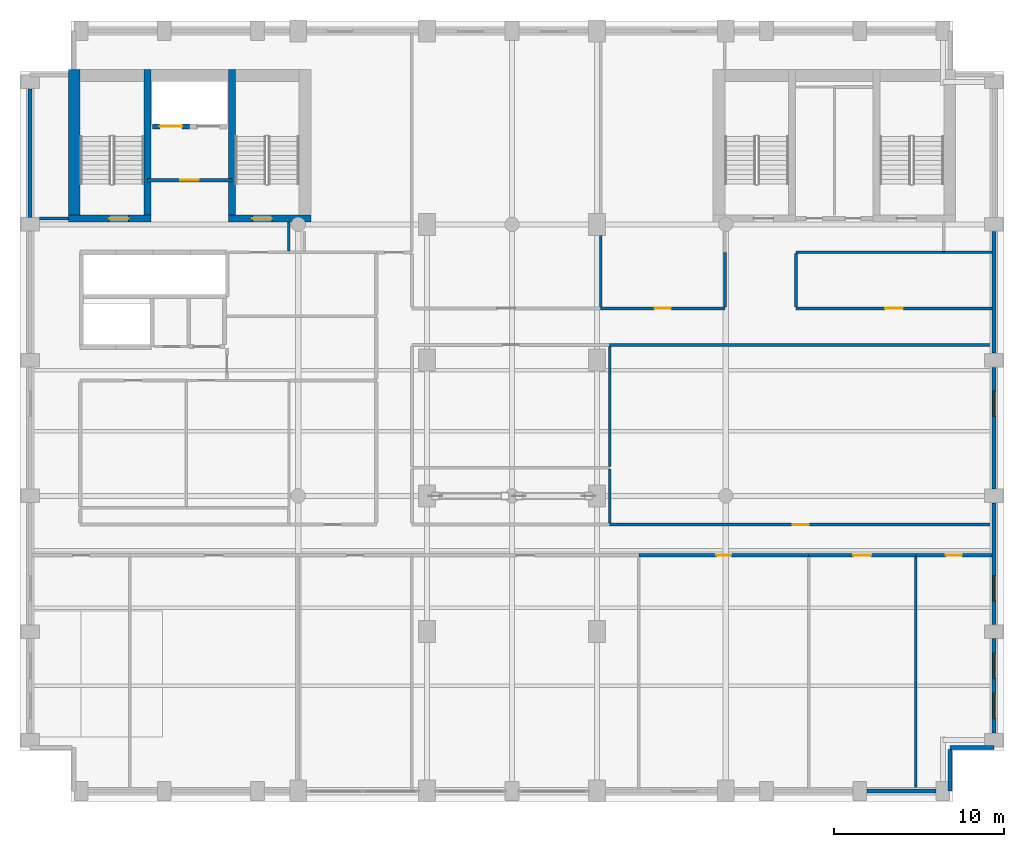
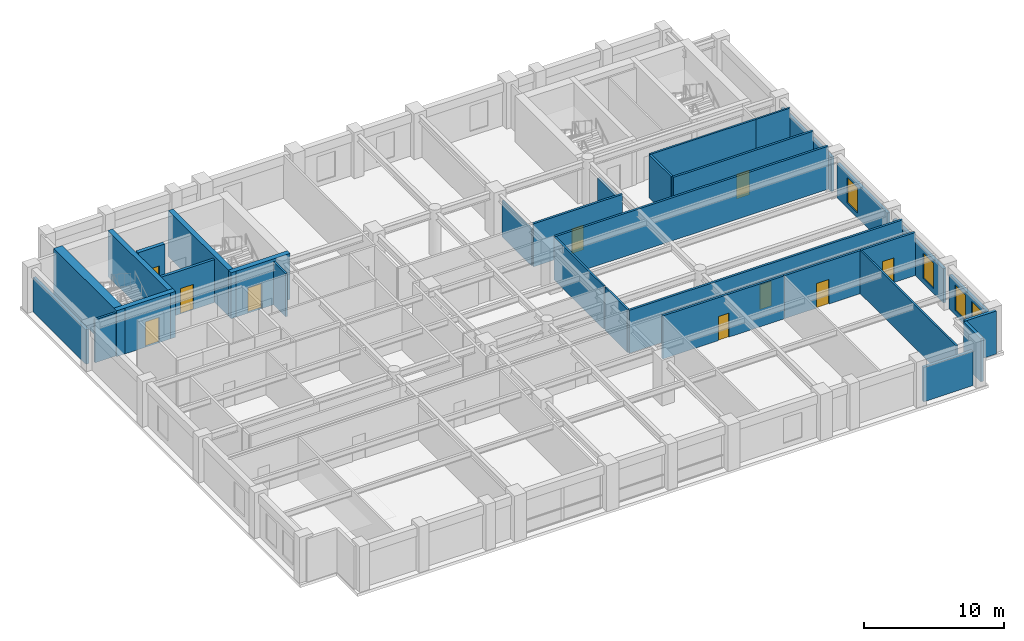
# One storey, part 8 of 13: 32 walls, 10 doors, 4 windows, 14 openings.
"""IFC4 building model written with IfcOpenShell, lengths in metres."""

from ifc_helpers import new_model, si_unit, direction, frame, frame_2d, origin, place, context, subcontext, project, spatial, rectangle, extrude, material, layer, layer_set, type_object, element, fill, save


model = new_model("IFC4")

# Units and contexts
model_context = context("Model", 3, precision=1e-05, world=origin(), true_north=direction((0.0, 1.0)))
body_context = subcontext(model_context, "Body", "Model", "MODEL_VIEW")
ifc_project = project(units=[si_unit("LENGTHUNIT", "METRE"), si_unit("AREAUNIT", "SQUARE_METRE"), si_unit("VOLUMEUNIT", "CUBIC_METRE"), si_unit("PLANEANGLEUNIT", "RADIAN"), si_unit("MASSUNIT", "GRAM", prefix="KILO")], contexts=[model_context])

# Site, building, storey
site_placement = place(None, origin())
site = spatial("IfcSite", under=ifc_project, at=site_placement, CompositionType="ELEMENT")
building_placement = place(site_placement, origin())
building = spatial("IfcBuilding", under=site, at=building_placement, Name="Sulina Concourse Tower", CompositionType="ELEMENT")
storey_placement = place(building_placement, frame((0.0, 0.0, 202.60009765625)))
storey = spatial("IfcBuildingStorey", under=building, at=storey_placement, Name="L49", CompositionType="ELEMENT", Elevation=202.60009765625)

# Wall, opening, door
ifc_material_1 = material(Name="Concrete C50/60", Category="concrete")
ifc_layer_1 = layer(ifc_material_1, 0.300048828125)
ifc_layer_set_1 = layer_set([ifc_layer_1], Name="Concrete C50/60")
wall_type_1 = type_object("IfcWallType", Name="Core Lift Hoistway Wall 300mm", PredefinedType="SOLIDWALL", material=ifc_layer_set_1)
wall_1_placement = place(storey_placement, frame((10.0, 39.780029296875, 0.0), z_axis=(0.0, 0.0, 1.0), x_axis=(-1.0, 0.0, 0.0)))
wall_1 = element("IfcWall", 1, at=wall_1_placement, inside=storey, type_object=wall_type_1, Name="L49 hoistway enclosure wall FFL-1", PredefinedType="SOLIDWALL", context=body_context, shape_type="SweptSolid", body=[
    extrude(rectangle(XDim=2.199951171875, YDim=0.300048828125, at=frame_2d((1.10009765625, 0.0))), origin(), (0.0, 0.0, 1.0), 4.0),
])
opening_1_placement = place(wall_1_placement, frame((0.449951171875, 0.0, 0.0)))
opening_1 = element("IfcOpeningElement", 2, at=opening_1_placement, cuts=wall_1, Name="Opening LD-02", PredefinedType="OPENING", context=body_context, shape_type="SweptSolid", body=[
    extrude(rectangle(XDim=1.300048828125, YDim=2.25, at=frame_2d((0.64990234375, 1.125))), frame((0.0, 0.159912109375, 0.0), z_axis=(0.0, -1.0, 0.0), x_axis=(1.0, 0.0, 0.0)), (0.0, 0.0, 1.0), 0.320068359375),
])
ifc_material_2 = material(Name="Stainless steel lift landing door", Category="steel")
ifc_layer_2 = layer(ifc_material_2, 0.050048828125)
ifc_layer_set_2 = layer_set([ifc_layer_2], Name="Stainless steel lift landing door")
door_type_1 = type_object("IfcDoorType", Name="Firefighting Lift Sliding Landing Door 1300x2250", OperationType="SLIDING_TO_RIGHT", PredefinedType="DOOR", material=ifc_layer_set_2)
door_1_placement = place(opening_1_placement, origin())
door_1 = element("IfcDoor", 3, at=door_1_placement, inside=storey, type_object=door_type_1, Name="L49 lift landing sliding door FFL-1", OperationType="SLIDING_TO_LEFT", OverallHeight=2.25, OverallWidth=1.300048828125, PredefinedType="DOOR", context=body_context, shape_type="SweptSolid", body=[
    extrude(rectangle(XDim=1.300048828125, YDim=2.25, at=frame_2d((0.64990234375, 1.125))), frame((0.0, 0.02490234375, 0.0), z_axis=(0.0, -1.0, 0.0), x_axis=(1.0, 0.0, 0.0)), (0.0, 0.0, 1.0), 0.050048828125),
])
fill(opening_1, door_1)

# Walls
ifc_material_3 = material(Name="Precast concrete C50/60", Category="concrete")
ifc_layer_3 = layer(ifc_material_3, 0.239990234375)
ifc_layer_set_3 = layer_set([ifc_layer_3], Name="Precast concrete C50/60")
wall_type_2 = type_object("IfcWallType", Name="Crown Precast Masonry-Frame Facade Wall 240mm", PredefinedType="SOLIDWALL", material=ifc_layer_set_3)
wall_2_placement = place(storey_placement, frame((53.97998046875, 0.60009765625, 0.0), z_axis=(0.0, 0.0, 1.0), x_axis=(-1.0, 0.0, 0.0)))
element("IfcWall", 4, at=wall_2_placement, inside=storey, type_object=wall_type_2, Name="L49 exterior precast wall S10", PredefinedType="SOLIDWALL", context=body_context, shape_type="SweptSolid", body=[
    extrude(rectangle(XDim=4.06005859375, YDim=0.239990234375, at=frame_2d((2.030029296875, 0.0))), origin(), (0.0, 0.0, 1.0), 3.0),
])
wall_3_placement = place(storey_placement, frame((0.60009765625, 34.419921875, 0.0), z_axis=(0.0, 0.0, 1.0), x_axis=(0.0, 1.0, 0.0)))
element("IfcWall", 5, at=wall_3_placement, inside=storey, type_object=wall_type_2, Name="L49 exterior precast wall W5", PredefinedType="SOLIDWALL", context=body_context, shape_type="SweptSolid", body=[
    extrude(rectangle(XDim=7.56005859375, YDim=0.239990234375, at=frame_2d((3.780029296875, 0.0))), origin(), (0.0, 0.0, 1.0), 3.0),
])

# Wall, openings, windows
wall_4_placement = place(storey_placement, frame((57.39990234375, 9.580078125, 0.0), z_axis=(0.0, 0.0, 1.0), x_axis=(0.0, -1.0, 0.0)))
wall_4 = element("IfcWall", 6, at=wall_4_placement, inside=storey, type_object=wall_type_2, Name="L49 exterior precast wall E1", PredefinedType="SOLIDWALL", context=body_context, shape_type="SweptSolid", body=[
    extrude(rectangle(XDim=5.56005859375, YDim=0.239990234375, at=frame_2d((2.780029296875, 0.0))), origin(), (0.0, 0.0, 1.0), 3.0),
])
opening_2_placement = place(wall_4_placement, frame((0.853271484375, 0.0, 0.419921875)))
opening_2 = element("IfcOpeningElement", 7, at=opening_2_placement, cuts=wall_4, Name="Opening WN-71", PredefinedType="OPENING", context=body_context, shape_type="SweptSolid", body=[
    extrude(rectangle(XDim=1.5, YDim=2.199951171875, at=frame_2d((0.75, 1.10009765625))), frame((0.0, 0.1298828125, 0.0), z_axis=(0.0, -1.0, 0.0), x_axis=(1.0, 0.0, 0.0)), (0.0, 0.0, 1.0), 0.260009765625),
])
opening_3_placement = place(wall_4_placement, frame((3.206787109375, 0.0, 0.419921875)))
opening_3 = element("IfcOpeningElement", 8, at=opening_3_placement, cuts=wall_4, Name="Opening WN-71", PredefinedType="OPENING", context=body_context, shape_type="SweptSolid", body=[
    extrude(rectangle(XDim=1.5, YDim=2.199951171875, at=frame_2d((0.75, 1.10009765625))), frame((0.0, 0.1298828125, 0.0), z_axis=(0.0, -1.0, 0.0), x_axis=(1.0, 0.0, 0.0)), (0.0, 0.0, 1.0), 0.260009765625),
])
ifc_material_4 = material(Name="Low-E solar double glazing in bronze aluminium", Category="aluminium")
window_type = type_object("IfcWindowType", Name="Punched Masonry-Frame Window 1500x2200", PartitioningType="SINGLE_PANEL", PredefinedType="WINDOW", material=ifc_material_4)
window_1_placement = place(opening_2_placement, origin())
window_1 = element("IfcWindow", 9, at=window_1_placement, inside=storey, type_object=window_type, Name="L49 punched window E1-1", OverallHeight=2.199951171875, OverallWidth=1.5, PartitioningType="SINGLE_PANEL", PredefinedType="WINDOW", context=body_context, shape_type="SweptSolid", body=[
    extrude(rectangle(XDim=1.5, YDim=2.199951171875, at=frame_2d((0.75, 1.10009765625))), frame((0.0, 0.030029296875, 0.0), z_axis=(0.0, -1.0, 0.0), x_axis=(1.0, 0.0, 0.0)), (0.0, 0.0, 1.0), 0.06005859375),
])
fill(opening_2, window_1)
window_2_placement = place(opening_3_placement, origin())
window_2 = element("IfcWindow", 10, at=window_2_placement, inside=storey, type_object=window_type, Name="L49 punched window E1-2", OverallHeight=2.199951171875, OverallWidth=1.5, PartitioningType="SINGLE_PANEL", PredefinedType="WINDOW", context=body_context, shape_type="SweptSolid", body=[
    extrude(rectangle(XDim=1.5, YDim=2.199951171875, at=frame_2d((0.75, 1.10009765625))), frame((0.0, 0.030029296875, 0.0), z_axis=(0.0, -1.0, 0.0), x_axis=(1.0, 0.0, 0.0)), (0.0, 0.0, 1.0), 0.06005859375),
])
fill(opening_3, window_2)

# Wall, opening, window
wall_5_placement = place(storey_placement, frame((57.39990234375, 17.580078125, 0.0), z_axis=(0.0, 0.0, 1.0), x_axis=(0.0, -1.0, 0.0)))
wall_5 = element("IfcWall", 11, at=wall_5_placement, inside=storey, type_object=wall_type_2, Name="L49 exterior precast wall E2", PredefinedType="SOLIDWALL", context=body_context, shape_type="SweptSolid", body=[
    extrude(rectangle(XDim=7.16015625, YDim=0.239990234375, at=frame_2d((3.580078125, 0.0))), origin(), (0.0, 0.0, 1.0), 3.0),
])
opening_4_placement = place(wall_5_placement, frame((4.273193359375, 0.0, 0.419921875)))
opening_4 = element("IfcOpeningElement", 12, at=opening_4_placement, cuts=wall_5, Name="Opening WN-71", PredefinedType="OPENING", context=body_context, shape_type="SweptSolid", body=[
    extrude(rectangle(XDim=1.5, YDim=2.199951171875, at=frame_2d((0.75, 1.10009765625))), frame((0.0, 0.1298828125, 0.0), z_axis=(0.0, -1.0, 0.0), x_axis=(1.0, 0.0, 0.0)), (0.0, 0.0, 1.0), 0.260009765625),
])
window_3_placement = place(opening_4_placement, origin())
window_3 = element("IfcWindow", 13, at=window_3_placement, inside=storey, type_object=window_type, Name="L49 punched window E2-1", OverallHeight=2.199951171875, OverallWidth=1.5, PartitioningType="SINGLE_PANEL", PredefinedType="WINDOW", context=body_context, shape_type="SweptSolid", body=[
    extrude(rectangle(XDim=1.5, YDim=2.199951171875, at=frame_2d((0.75, 1.10009765625))), frame((0.0, 0.030029296875, 0.0), z_axis=(0.0, -1.0, 0.0), x_axis=(1.0, 0.0, 0.0)), (0.0, 0.0, 1.0), 0.06005859375),
])
fill(opening_4, window_3)

wall_6_placement = place(storey_placement, frame((57.39990234375, 25.580078125, 0.0), z_axis=(0.0, 0.0, 1.0), x_axis=(0.0, -1.0, 0.0)))
wall_6 = element("IfcWall", 14, at=wall_6_placement, inside=storey, type_object=wall_type_2, Name="L49 exterior precast wall E3", PredefinedType="SOLIDWALL", context=body_context, shape_type="SweptSolid", body=[
    extrude(rectangle(XDim=7.16015625, YDim=0.239990234375, at=frame_2d((3.580078125, 0.0))), origin(), (0.0, 0.0, 1.0), 3.0),
])
opening_5_placement = place(wall_6_placement, frame((1.38671875, 0.0, 0.419921875)))
opening_5 = element("IfcOpeningElement", 15, at=opening_5_placement, cuts=wall_6, Name="Opening WN-71", PredefinedType="OPENING", context=body_context, shape_type="SweptSolid", body=[
    extrude(rectangle(XDim=1.5, YDim=2.199951171875, at=frame_2d((0.75, 1.10009765625))), frame((0.0, 0.1298828125, 0.0), z_axis=(0.0, -1.0, 0.0), x_axis=(1.0, 0.0, 0.0)), (0.0, 0.0, 1.0), 0.260009765625),
])
window_4_placement = place(opening_5_placement, origin())
window_4 = element("IfcWindow", 16, at=window_4_placement, inside=storey, type_object=window_type, Name="L49 punched window E3-1", OverallHeight=2.199951171875, OverallWidth=1.5, PartitioningType="SINGLE_PANEL", PredefinedType="WINDOW", context=body_context, shape_type="SweptSolid", body=[
    extrude(rectangle(XDim=1.5, YDim=2.199951171875, at=frame_2d((0.75, 1.10009765625))), frame((0.0, 0.030029296875, 0.0), z_axis=(0.0, -1.0, 0.0), x_axis=(1.0, 0.0, 0.0)), (0.0, 0.0, 1.0), 0.06005859375),
])
fill(opening_5, window_4)

# Walls
wall_7_placement = place(storey_placement, frame((57.39990234375, 33.580078125, 0.0), z_axis=(0.0, 0.0, 1.0), x_axis=(0.0, -1.0, 0.0)))
element("IfcWall", 17, at=wall_7_placement, inside=storey, type_object=wall_type_2, Name="L49 exterior precast wall E4", PredefinedType="SOLIDWALL", context=body_context, shape_type="SweptSolid", body=[
    extrude(rectangle(XDim=7.16015625, YDim=0.239990234375, at=frame_2d((3.580078125, 0.0))), origin(), (0.0, 0.0, 1.0), 3.0),
])
wall_8_placement = place(storey_placement, frame((57.39990234375, 3.179931640625, 0.0), z_axis=(0.0, 0.0, 1.0), x_axis=(-1.0, 0.0, 0.0)))
element("IfcWall", 18, at=wall_8_placement, inside=storey, type_object=wall_type_2, Name="L49 exterior precast wall CSE1", PredefinedType="SOLIDWALL", context=body_context, shape_type="SweptSolid", body=[
    extrude(rectangle(XDim=2.579833984375, YDim=0.239990234375, at=frame_2d((1.2900390625, 0.0))), origin(), (0.0, 0.0, 1.0), 3.75),
])
wall_9_placement = place(storey_placement, frame((54.820068359375, 3.054931640625, 0.0), z_axis=(0.0, 0.0, 1.0), x_axis=(0.0, -1.0, 0.0)))
element("IfcWall", 19, at=wall_9_placement, inside=storey, type_object=wall_type_2, Name="L49 exterior precast wall CSE2", PredefinedType="SOLIDWALL", context=body_context, shape_type="SweptSolid", body=[
    extrude(rectangle(XDim=2.454833984375, YDim=0.239990234375, at=frame_2d((1.2275390625, 0.0))), origin(), (0.0, 0.0, 1.0), 3.75),
])

# Wall, opening, door
ifc_material_5 = material(Name="Gypsum board on steel stud", Category="steel")
ifc_layer_4 = layer(ifc_material_5, 0.219970703125)
ifc_layer_set_4 = layer_set([ifc_layer_4], Name="Gypsum board on steel stud")
wall_type_3 = type_object("IfcWallType", Name="Fire-Rated Lobby & Compartment Wall 220mm", PredefinedType="PARTITIONING", material=ifc_layer_set_4)
wall_10_placement = place(storey_placement, frame((7.510009765625, 36.60009765625, 0.0), z_axis=(0.0, 0.0, 1.0), x_axis=(1.0, 0.0, 0.0)))
wall_10 = element("IfcWall", 20, at=wall_10_placement, inside=storey, type_object=wall_type_3, Name="L49 firefighting lobby south fire wall", PredefinedType="PARTITIONING", context=body_context, shape_type="SweptSolid", body=[
    extrude(rectangle(XDim=4.97998046875, YDim=0.219970703125, at=frame_2d((2.489990234375, 0.0))), origin(), (0.0, 0.0, 1.0), 3.75),
])
opening_6_placement = place(wall_10_placement, frame((1.93994140625, 0.0, 0.0)))
opening_6 = element("IfcOpeningElement", 21, at=opening_6_placement, cuts=wall_10, Name="Opening DR-47", PredefinedType="OPENING", context=body_context, shape_type="SweptSolid", body=[
    extrude(rectangle(XDim=1.10009765625, YDim=2.199951171875, at=frame_2d((0.550048828125, 1.10009765625))), frame((0.0, 0.119873046875, 0.0), z_axis=(0.0, -1.0, 0.0), x_axis=(1.0, 0.0, 0.0)), (0.0, 0.0, 1.0), 0.239990234375),
])
ifc_material_6 = material(Name="Galvanised steel acoustic fire leaf", Category="steel")
ifc_layer_5 = layer(ifc_material_6, 0.054931640625)
ifc_layer_set_5 = layer_set([ifc_layer_5], Name="Galvanised steel acoustic fire leaf")
door_type_2 = type_object("IfcDoorType", Name="Firefighting Lobby Fire Door 1100x2200", OperationType="NOTDEFINED", PredefinedType="DOOR", material=ifc_layer_set_5)
door_2_placement = place(opening_6_placement, origin())
door_2 = element("IfcDoor", 22, at=door_2_placement, inside=storey, type_object=door_type_2, Name="L49 firefighting lobby fire door", OperationType="SINGLE_SWING_RIGHT", OverallHeight=2.199951171875, OverallWidth=1.10009765625, PredefinedType="DOOR", context=body_context, shape_type="SweptSolid", body=[
    extrude(rectangle(XDim=1.10009765625, YDim=2.199951171875, at=frame_2d((0.550048828125, 1.10009765625))), frame((0.0, 0.02490234375, 0.0), z_axis=(0.0, -1.0, 0.0), x_axis=(1.0, 0.0, 0.0)), (0.0, 0.0, 1.0), 0.050048828125),
])
fill(opening_6, door_2)

# Walls
ifc_material_7 = material(Name="Gypsum board on steel stud", Category="steel")
ifc_layer_6 = layer(ifc_material_7, 0.14990234375)
ifc_layer_set_6 = layer_set([ifc_layer_6], Name="Gypsum board on steel stud")
wall_type_4 = type_object("IfcWallType", Name="Inter-Tenancy Acoustic Partition 150mm", PredefinedType="PARTITIONING", material=ifc_layer_set_6)
wall_11_placement = place(storey_placement, frame((45.75, 32.35009765625, 0.0), z_axis=(0.0, 0.0, 1.0), x_axis=(1.0, 0.0, 0.0)))
element("IfcWall", 23, at=wall_11_placement, inside=storey, type_object=wall_type_4, Name="L49 interior partition 031", PredefinedType="PARTITIONING", context=body_context, shape_type="SweptSolid", body=[
    extrude(rectangle(XDim=8.699951171875, YDim=0.14990234375, at=frame_2d((4.35009765625, 0.0))), origin(), (0.0, 0.0, 1.0), 3.75),
])
wall_12_placement = place(storey_placement, frame((54.449951171875, 32.35009765625, 0.0), z_axis=(0.0, 0.0, 1.0), x_axis=(1.0, 0.0, 0.0)))
element("IfcWall", 24, at=wall_12_placement, inside=storey, type_object=wall_type_4, Name="L49 interior partition 032", PredefinedType="PARTITIONING", context=body_context, shape_type="SweptSolid", body=[
    extrude(rectangle(XDim=2.830078125, YDim=0.14990234375, at=frame_2d((1.4150390625, 0.0))), origin(), (0.0, 0.0, 1.0), 3.75),
])
wall_13_placement = place(storey_placement, frame((15.85009765625, 32.425048828125, 0.0), z_axis=(0.0, 0.0, 1.0), x_axis=(0.0, 1.0, 0.0)))
element("IfcWall", 25, at=wall_13_placement, inside=storey, type_object=wall_type_4, Name="L49 interior partition 045", PredefinedType="PARTITIONING", context=body_context, shape_type="SweptSolid", body=[
    extrude(rectangle(XDim=1.724853515625, YDim=0.14990234375, at=frame_2d((0.8623046875, 0.0))), origin(), (0.0, 0.0, 1.0), 3.75),
])
wall_14_placement = place(storey_placement, frame((34.219970703125, 29.139892578125, 0.0), z_axis=(0.0, 0.0, 1.0), x_axis=(0.0, 1.0, 0.0)))
element("IfcWall", 26, at=wall_14_placement, inside=storey, type_object=wall_type_4, Name="L49 interior partition 056", PredefinedType="PARTITIONING", context=body_context, shape_type="SweptSolid", body=[
    extrude(rectangle(XDim=4.210205078125, YDim=0.14990234375, at=frame_2d((2.10498046875, 0.0))), origin(), (0.0, 0.0, 1.0), 3.14501953125),
])
wall_15_placement = place(storey_placement, frame((34.75, 16.389892578125, 0.0), z_axis=(0.0, 0.0, 1.0), x_axis=(0.0, 1.0, 0.0)))
element("IfcWall", 27, at=wall_15_placement, inside=storey, type_object=wall_type_4, Name="L49 interior partition 058", PredefinedType="PARTITIONING", context=body_context, shape_type="SweptSolid", body=[
    extrude(rectangle(XDim=3.18505859375, YDim=0.14990234375, at=frame_2d((1.592529296875, 0.0))), origin(), (0.0, 0.0, 1.0), 3.75),
])
wall_16_placement = place(storey_placement, frame((34.75, 19.72509765625, 0.0), z_axis=(0.0, 0.0, 1.0), x_axis=(0.0, 1.0, 0.0)))
element("IfcWall", 28, at=wall_16_placement, inside=storey, type_object=wall_type_4, Name="L49 interior partition 059", PredefinedType="PARTITIONING", context=body_context, shape_type="SweptSolid", body=[
    extrude(rectangle(XDim=7.0849609375, YDim=0.14990234375, at=frame_2d((3.54248046875, 0.0))), origin(), (0.0, 0.0, 1.0), 3.75),
])
wall_17_placement = place(storey_placement, frame((52.81005859375, 0.719970703125, 0.0), z_axis=(0.0, 0.0, 1.0), x_axis=(0.0, 1.0, 0.0)))
element("IfcWall", 29, at=wall_17_placement, inside=storey, type_object=wall_type_4, Name="L49 interior partition 067", PredefinedType="PARTITIONING", context=body_context, shape_type="SweptSolid", body=[
    extrude(rectangle(XDim=13.68994140625, YDim=0.14990234375, at=frame_2d((6.844970703125, 0.0))), origin(), (0.0, 0.0, 1.0), 3.75),
])

# Wall, opening, door
ifc_material_8 = material(Name="Gypsum board on steel stud", Category="steel")
ifc_layer_7 = layer(ifc_material_8, 0.179931640625)
ifc_layer_set_7 = layer_set([ifc_layer_7], Name="Gypsum board on steel stud")
wall_type_5 = type_object("IfcWallType", Name="Protected Corridor & Riser Partition 180mm", PredefinedType="PARTITIONING", material=ifc_layer_set_7)
wall_18_placement = place(storey_placement, frame((36.47998046875, 14.5, 0.0), z_axis=(0.0, 0.0, 1.0), x_axis=(1.0, 0.0, 0.0)))
wall_18 = element("IfcWall", 30, at=wall_18_placement, inside=storey, type_object=wall_type_5, Name="L49 interior partition 005", PredefinedType="PARTITIONING", context=body_context, shape_type="SweptSolid", body=[
    extrude(rectangle(XDim=10.0, YDim=0.179931640625, at=frame_2d((5.0, 0.0))), origin(), (0.0, 0.0, 1.0), 3.75),
])
opening_7_placement = place(wall_18_placement, frame((4.56005859375, 0.0, 0.0)))
opening_7 = element("IfcOpeningElement", 31, at=opening_7_placement, cuts=wall_18, Name="Opening DR-38", PredefinedType="OPENING", context=body_context, shape_type="SweptSolid", body=[
    extrude(rectangle(XDim=0.8798828125, YDim=2.10009765625, at=frame_2d((0.43994140625, 1.050048828125))), frame((0.0, 0.099853515625, 0.0), z_axis=(0.0, -1.0, 0.0), x_axis=(1.0, 0.0, 0.0)), (0.0, 0.0, 1.0), 0.199951171875),
])
ifc_material_9 = material(Name="Galvanised steel acoustic fire leaf", Category="steel")
ifc_layer_8 = layer(ifc_material_9, 0.050048828125)
ifc_layer_set_8 = layer_set([ifc_layer_8], Name="Galvanised steel acoustic fire leaf")
door_type_3 = type_object("IfcDoorType", Name="Service Riser Fire Door 880x2100", OperationType="NOTDEFINED", PredefinedType="DOOR", material=ifc_layer_set_8)
door_3_placement = place(opening_7_placement, origin())
door_3 = element("IfcDoor", 32, at=door_3_placement, inside=storey, type_object=door_type_3, Name="L49 interior door L49-S05", OperationType="SINGLE_SWING_RIGHT", OverallHeight=2.10009765625, OverallWidth=0.8798828125, PredefinedType="DOOR", context=body_context, shape_type="SweptSolid", body=[
    extrude(rectangle(XDim=0.8798828125, YDim=2.10009765625, at=frame_2d((0.43994140625, 1.050048828125))), frame((0.0, 0.02490234375, 0.0), z_axis=(0.0, -1.0, 0.0), x_axis=(1.0, 0.0, 0.0)), (0.0, 0.0, 1.0), 0.050048828125),
])
fill(opening_7, door_3)

wall_19_placement = place(storey_placement, frame((46.47998046875, 14.5, 0.0), z_axis=(0.0, 0.0, 1.0), x_axis=(1.0, 0.0, 0.0)))
wall_19 = element("IfcWall", 33, at=wall_19_placement, inside=storey, type_object=wall_type_5, Name="L49 interior partition 006", PredefinedType="PARTITIONING", context=body_context, shape_type="SweptSolid", body=[
    extrude(rectangle(XDim=6.330078125, YDim=0.179931640625, at=frame_2d((3.1650390625, 0.0))), origin(), (0.0, 0.0, 1.0), 3.75),
])
opening_8_placement = place(wall_19_placement, frame((2.639892578125, 0.0, 0.0)))
opening_8 = element("IfcOpeningElement", 34, at=opening_8_placement, cuts=wall_19, Name="Opening DR-37", PredefinedType="OPENING", context=body_context, shape_type="SweptSolid", body=[
    extrude(rectangle(XDim=1.050048828125, YDim=2.14990234375, at=frame_2d((0.52490234375, 1.074951171875))), frame((0.0, 0.099853515625, 0.0), z_axis=(0.0, -1.0, 0.0), x_axis=(1.0, 0.0, 0.0)), (0.0, 0.0, 1.0), 0.199951171875),
])
ifc_material_10 = material(Name="Oak-veneered fire door leaf")
ifc_layer_9 = layer(ifc_material_10, 0.050048828125)
ifc_layer_set_9 = layer_set([ifc_layer_9], Name="Oak-veneered fire door leaf")
door_type_4 = type_object("IfcDoorType", Name="Tenant Suite Entrance Fire Door 1050x2150", OperationType="NOTDEFINED", PredefinedType="DOOR", material=ifc_layer_set_9)
door_4_placement = place(opening_8_placement, origin())
door_4 = element("IfcDoor", 35, at=door_4_placement, inside=storey, type_object=door_type_4, Name="L49 interior door L49-S06A", OperationType="SINGLE_SWING_LEFT", OverallHeight=2.14990234375, OverallWidth=1.050048828125, PredefinedType="DOOR", context=body_context, shape_type="SweptSolid", body=[
    extrude(rectangle(XDim=1.050048828125, YDim=2.14990234375, at=frame_2d((0.52490234375, 1.074951171875))), frame((0.0, 0.02490234375, 0.0), z_axis=(0.0, -1.0, 0.0), x_axis=(1.0, 0.0, 0.0)), (0.0, 0.0, 1.0), 0.050048828125),
])
fill(opening_8, door_4)

wall_20_placement = place(storey_placement, frame((52.81005859375, 14.5, 0.0), z_axis=(0.0, 0.0, 1.0), x_axis=(1.0, 0.0, 0.0)))
wall_20 = element("IfcWall", 36, at=wall_20_placement, inside=storey, type_object=wall_type_5, Name="L49 interior partition 007", PredefinedType="PARTITIONING", context=body_context, shape_type="SweptSolid", body=[
    extrude(rectangle(XDim=4.469970703125, YDim=0.179931640625, at=frame_2d((2.23486328125, 0.0))), origin(), (0.0, 0.0, 1.0), 3.75),
])
opening_9_placement = place(wall_20_placement, frame((1.760009765625, 0.0, 0.0)))
opening_9 = element("IfcOpeningElement", 37, at=opening_9_placement, cuts=wall_20, Name="Opening DR-19", PredefinedType="OPENING", context=body_context, shape_type="SweptSolid", body=[
    extrude(rectangle(XDim=0.949951171875, YDim=2.14990234375, at=frame_2d((0.47509765625, 1.074951171875))), frame((0.0, 0.099853515625, 0.0), z_axis=(0.0, -1.0, 0.0), x_axis=(1.0, 0.0, 0.0)), (0.0, 0.0, 1.0), 0.199951171875),
])
ifc_material_11 = material(Name="Oak-veneered acoustic timber leaf", Category="wood")
ifc_layer_10 = layer(ifc_material_11, 0.050048828125)
ifc_layer_set_10 = layer_set([ifc_layer_10], Name="Oak-veneered acoustic timber leaf")
door_type_5 = type_object("IfcDoorType", Name="Cellular Office & Meeting Door 950x2150", OperationType="NOTDEFINED", PredefinedType="DOOR", material=ifc_layer_set_10)
door_5_placement = place(opening_9_placement, origin())
door_5 = element("IfcDoor", 38, at=door_5_placement, inside=storey, type_object=door_type_5, Name="L49 interior door L49-S06B", OperationType="SINGLE_SWING_RIGHT", OverallHeight=2.14990234375, OverallWidth=0.949951171875, PredefinedType="DOOR", context=body_context, shape_type="SweptSolid", body=[
    extrude(rectangle(XDim=0.949951171875, YDim=2.14990234375, at=frame_2d((0.47509765625, 1.074951171875))), frame((0.0, 0.02490234375, 0.0), z_axis=(0.0, -1.0, 0.0), x_axis=(1.0, 0.0, 0.0)), (0.0, 0.0, 1.0), 0.050048828125),
])
fill(opening_9, door_5)

wall_21_placement = place(storey_placement, frame((34.75, 16.300048828125, 0.0), z_axis=(0.0, 0.0, 1.0), x_axis=(1.0, 0.0, 0.0)))
wall_21 = element("IfcWall", 39, at=wall_21_placement, inside=storey, type_object=wall_type_5, Name="L49 interior partition 011", PredefinedType="PARTITIONING", context=body_context, shape_type="SweptSolid", body=[
    extrude(rectangle(XDim=22.530029296875, YDim=0.179931640625, at=frame_2d((11.26513671875, 0.0))), origin(), (0.0, 0.0, 1.0), 3.75),
])
opening_10_placement = place(wall_21_placement, frame((10.7900390625, 0.0, 0.0)))
opening_10 = element("IfcOpeningElement", 40, at=opening_10_placement, cuts=wall_21, Name="Opening DR-19", PredefinedType="OPENING", context=body_context, shape_type="SweptSolid", body=[
    extrude(rectangle(XDim=0.949951171875, YDim=2.14990234375, at=frame_2d((0.47509765625, 1.074951171875))), frame((0.0, 0.099853515625, 0.0), z_axis=(0.0, -1.0, 0.0), x_axis=(1.0, 0.0, 0.0)), (0.0, 0.0, 1.0), 0.199951171875),
])
door_6_placement = place(opening_10_placement, origin())
door_6 = element("IfcDoor", 41, at=door_6_placement, inside=storey, type_object=door_type_5, Name="L49 interior door L49-UBT-ERM", OperationType="SINGLE_SWING_RIGHT", OverallHeight=2.14990234375, OverallWidth=0.949951171875, PredefinedType="DOOR", context=body_context, shape_type="SweptSolid", body=[
    extrude(rectangle(XDim=0.949951171875, YDim=2.14990234375, at=frame_2d((0.47509765625, 1.074951171875))), frame((0.0, 0.02490234375, 0.0), z_axis=(0.0, -1.0, 0.0), x_axis=(1.0, 0.0, 0.0)), (0.0, 0.0, 1.0), 0.050048828125),
])
fill(opening_10, door_6)

# Wall
wall_22_placement = place(storey_placement, frame((34.75, 26.89990234375, 0.0), z_axis=(0.0, 0.0, 1.0), x_axis=(1.0, 0.0, 0.0)))
element("IfcWall", 42, at=wall_22_placement, inside=storey, type_object=wall_type_5, Name="L49 interior partition 022", PredefinedType="PARTITIONING", context=body_context, shape_type="SweptSolid", body=[
    extrude(rectangle(XDim=22.530029296875, YDim=0.179931640625, at=frame_2d((11.26513671875, 0.0))), origin(), (0.0, 0.0, 1.0), 3.75),
])

# Wall, opening, door
wall_23_placement = place(storey_placement, frame((34.219970703125, 29.050048828125, 0.0), z_axis=(0.0, 0.0, 1.0), x_axis=(1.0, 0.0, 0.0)))
wall_23 = element("IfcWall", 43, at=wall_23_placement, inside=storey, type_object=wall_type_5, Name="L49 interior partition 025", PredefinedType="PARTITIONING", context=body_context, shape_type="SweptSolid", body=[
    extrude(rectangle(XDim=7.330078125, YDim=0.179931640625, at=frame_2d((3.6650390625, 0.0))), origin(), (0.0, 0.0, 1.0), 3.75),
])
opening_11_placement = place(wall_23_placement, frame((3.18994140625, 0.0, 0.0)))
opening_11 = element("IfcOpeningElement", 44, at=opening_11_placement, cuts=wall_23, Name="Opening DR-19", PredefinedType="OPENING", context=body_context, shape_type="SweptSolid", body=[
    extrude(rectangle(XDim=0.949951171875, YDim=2.14990234375, at=frame_2d((0.47509765625, 1.074951171875))), frame((0.0, 0.099853515625, 0.0), z_axis=(0.0, -1.0, 0.0), x_axis=(1.0, 0.0, 0.0)), (0.0, 0.0, 1.0), 0.199951171875),
])
door_7_placement = place(opening_11_placement, origin())
door_7 = element("IfcDoor", 45, at=door_7_placement, inside=storey, type_object=door_type_5, Name="L49 interior door L49-NC2", OperationType="SINGLE_SWING_RIGHT", OverallHeight=2.14990234375, OverallWidth=0.949951171875, PredefinedType="DOOR", context=body_context, shape_type="SweptSolid", body=[
    extrude(rectangle(XDim=0.949951171875, YDim=2.14990234375, at=frame_2d((0.47509765625, 1.074951171875))), frame((0.0, 0.02490234375, 0.0), z_axis=(0.0, -1.0, 0.0), x_axis=(1.0, 0.0, 0.0)), (0.0, 0.0, 1.0), 0.050048828125),
])
fill(opening_11, door_7)

wall_24_placement = place(storey_placement, frame((45.75, 29.050048828125, 0.0), z_axis=(0.0, 0.0, 1.0), x_axis=(1.0, 0.0, 0.0)))
wall_24 = element("IfcWall", 46, at=wall_24_placement, inside=storey, type_object=wall_type_5, Name="L49 interior partition 026", PredefinedType="PARTITIONING", context=body_context, shape_type="SweptSolid", body=[
    extrude(rectangle(XDim=11.530029296875, YDim=0.179931640625, at=frame_2d((5.76513671875, 0.0))), origin(), (0.0, 0.0, 1.0), 3.75),
])
opening_12_placement = place(wall_24_placement, frame((5.239990234375, 0.0, 0.0)))
opening_12 = element("IfcOpeningElement", 47, at=opening_12_placement, cuts=wall_24, Name="Opening DR-37", PredefinedType="OPENING", context=body_context, shape_type="SweptSolid", body=[
    extrude(rectangle(XDim=1.050048828125, YDim=2.14990234375, at=frame_2d((0.52490234375, 1.074951171875))), frame((0.0, 0.099853515625, 0.0), z_axis=(0.0, -1.0, 0.0), x_axis=(1.0, 0.0, 0.0)), (0.0, 0.0, 1.0), 0.199951171875),
])
door_8_placement = place(opening_12_placement, origin())
door_8 = element("IfcDoor", 48, at=door_8_placement, inside=storey, type_object=door_type_4, Name="L49 interior door L49-NE1", OperationType="SINGLE_SWING_LEFT", OverallHeight=2.14990234375, OverallWidth=1.050048828125, PredefinedType="DOOR", context=body_context, shape_type="SweptSolid", body=[
    extrude(rectangle(XDim=1.050048828125, YDim=2.14990234375, at=frame_2d((0.52490234375, 1.074951171875))), frame((0.0, 0.02490234375, 0.0), z_axis=(0.0, -1.0, 0.0), x_axis=(1.0, 0.0, 0.0)), (0.0, 0.0, 1.0), 0.050048828125),
])
fill(opening_12, door_8)

# Walls
wall_25_placement = place(storey_placement, frame((1.14990234375, 34.35009765625, 0.0), z_axis=(0.0, 0.0, 1.0), x_axis=(1.0, 0.0, 0.0)))
element("IfcWall", 49, at=wall_25_placement, inside=storey, type_object=wall_type_5, Name="L49 interior partition 033", PredefinedType="PARTITIONING", context=body_context, shape_type="SweptSolid", body=[
    extrude(rectangle(XDim=1.7001953125, YDim=0.179931640625, at=frame_2d((0.85009765625, 0.0))), origin(), (0.0, 0.0, 1.0), 3.75),
])
wall_26_placement = place(storey_placement, frame((41.550048828125, 29.139892578125, 0.0), z_axis=(0.0, 0.0, 1.0), x_axis=(0.0, 1.0, 0.0)))
element("IfcWall", 50, at=wall_26_placement, inside=storey, type_object=wall_type_5, Name="L49 interior partition 061", PredefinedType="PARTITIONING", context=body_context, shape_type="SweptSolid", body=[
    extrude(rectangle(XDim=3.210205078125, YDim=0.179931640625, at=frame_2d((1.60498046875, 0.0))), origin(), (0.0, 0.0, 1.0), 3.14501953125),
])
wall_27_placement = place(storey_placement, frame((45.75, 29.139892578125, 0.0), z_axis=(0.0, 0.0, 1.0), x_axis=(0.0, 1.0, 0.0)))
element("IfcWall", 51, at=wall_27_placement, inside=storey, type_object=wall_type_5, Name="L49 interior partition 064", PredefinedType="PARTITIONING", context=body_context, shape_type="SweptSolid", body=[
    extrude(rectangle(XDim=3.135009765625, YDim=0.179931640625, at=frame_2d((1.5673828125, 0.0))), origin(), (0.0, 0.0, 1.0), 3.75),
])

# Wall, opening, door
ifc_material_12 = material(Name="Concrete C60/75", Category="concrete")
ifc_layer_11 = layer(ifc_material_12, 0.39990234375)
ifc_layer_set_11 = layer_set([ifc_layer_11], Name="Concrete C60/75")
wall_type_6 = type_object("IfcWallType", Name="Protected Stair Core Shear Wall 400mm", PredefinedType="SHEAR", material=ifc_layer_set_11)
wall_28_placement = place(storey_placement, frame((2.85009765625, 34.35009765625, 0.0), z_axis=(0.0, 0.0, 1.0), x_axis=(1.0, 0.0, 0.0)))
wall_28 = element("IfcWall", 52, at=wall_28_placement, inside=storey, type_object=wall_type_6, Name="L49 west core shear wall CW-WS1", PredefinedType="SHEAR", context=body_context, shape_type="SweptSolid", body=[
    extrude(rectangle(XDim=4.85986328125, YDim=0.39990234375, at=frame_2d((2.429931640625, 0.0))), origin(), (0.0, 0.0, 1.0), 4.0),
])
opening_13_placement = place(wall_28_placement, frame((2.39990234375, 0.0, 0.0)))
opening_13 = element("IfcOpeningElement", 53, at=opening_13_placement, cuts=wall_28, Name="Opening DR-60", PredefinedType="OPENING", context=body_context, shape_type="SweptSolid", body=[
    extrude(rectangle(XDim=1.14990234375, YDim=2.199951171875, at=frame_2d((0.574951171875, 1.10009765625))), frame((0.0, 0.2099609375, 0.0), z_axis=(0.0, -1.0, 0.0), x_axis=(1.0, 0.0, 0.0)), (0.0, 0.0, 1.0), 0.419921875),
])
ifc_material_13 = material(Name="Galvanised steel acoustic fire leaf", Category="steel")
ifc_layer_12 = layer(ifc_material_13, 0.054931640625)
ifc_layer_set_12 = layer_set([ifc_layer_12], Name="Galvanised steel acoustic fire leaf")
door_type_6 = type_object("IfcDoorType", Name="Protected Exit Stair Fire Door 1150x2200", OperationType="NOTDEFINED", PredefinedType="DOOR", material=ifc_layer_set_12)
door_9_placement = place(opening_13_placement, origin())
door_9 = element("IfcDoor", 54, at=door_9_placement, inside=storey, type_object=door_type_6, Name="L49 stair ST-1 lobby fire door", OperationType="SINGLE_SWING_RIGHT", OverallHeight=2.199951171875, OverallWidth=1.14990234375, PredefinedType="DOOR", context=body_context, shape_type="SweptSolid", body=[
    extrude(rectangle(XDim=1.14990234375, YDim=2.199951171875, at=frame_2d((0.574951171875, 1.10009765625))), frame((0.0, 0.02490234375, 0.0), z_axis=(0.0, -1.0, 0.0), x_axis=(1.0, 0.0, 0.0)), (0.0, 0.0, 1.0), 0.050048828125),
])
fill(opening_13, door_9)

wall_29_placement = place(storey_placement, frame((12.2900390625, 34.35009765625, 0.0), z_axis=(0.0, 0.0, 1.0), x_axis=(1.0, 0.0, 0.0)))
wall_29 = element("IfcWall", 55, at=wall_29_placement, inside=storey, type_object=wall_type_6, Name="L49 west core shear wall CW-WS2", PredefinedType="SHEAR", context=body_context, shape_type="SweptSolid", body=[
    extrude(rectangle(XDim=4.85986328125, YDim=0.39990234375, at=frame_2d((2.429931640625, 0.0))), origin(), (0.0, 0.0, 1.0), 4.0),
])
opening_14_placement = place(wall_29_placement, frame((1.39990234375, 0.0, 0.0)))
opening_14 = element("IfcOpeningElement", 56, at=opening_14_placement, cuts=wall_29, Name="Opening DR-60", PredefinedType="OPENING", context=body_context, shape_type="SweptSolid", body=[
    extrude(rectangle(XDim=1.14990234375, YDim=2.199951171875, at=frame_2d((0.574951171875, 1.10009765625))), frame((0.0, 0.2099609375, 0.0), z_axis=(0.0, -1.0, 0.0), x_axis=(1.0, 0.0, 0.0)), (0.0, 0.0, 1.0), 0.419921875),
])
door_10_placement = place(opening_14_placement, origin())
door_10 = element("IfcDoor", 57, at=door_10_placement, inside=storey, type_object=door_type_6, Name="L49 stair ST-2 lobby fire door", OperationType="SINGLE_SWING_LEFT", OverallHeight=2.199951171875, OverallWidth=1.14990234375, PredefinedType="DOOR", context=body_context, shape_type="SweptSolid", body=[
    extrude(rectangle(XDim=1.14990234375, YDim=2.199951171875, at=frame_2d((0.574951171875, 1.10009765625))), frame((0.0, 0.02490234375, 0.0), z_axis=(0.0, -1.0, 0.0), x_axis=(1.0, 0.0, 0.0)), (0.0, 0.0, 1.0), 0.050048828125),
])
fill(opening_14, door_10)

# Walls
for number, where, z_axis, x_axis, name in (
    (58, (7.510009765625, 34.14990234375, 0.0), (0.0, 0.0, 1.0), (0.0, 1.0, 0.0), "L49 west core shear wall SW-ST1"),
    (59, (12.489990234375, 34.14990234375, 0.0), (0.0, 0.0, 1.0), (0.0, 1.0, 0.0), "L49 west core shear wall SW-ST2"),
):
    element("IfcWall", number, at=place(storey_placement, frame(where, z_axis=z_axis, x_axis=x_axis)), inside=storey, type_object=wall_type_6, Name=name, PredefinedType="SHEAR", context=body_context, shape_type="SweptSolid", body=[
        extrude(rectangle(XDim=8.97998046875, YDim=0.39990234375, at=frame_2d((4.489990234375, 0.0))), origin(), (0.0, 0.0, 1.0), 4.0),
    ])
ifc_material_14 = material(Name="Concrete C60/75", Category="concrete")
ifc_layer_13 = layer(ifc_material_14, 0.699951171875)
ifc_layer_set_13 = layer_set([ifc_layer_13], Name="Concrete C60/75")
wall_type_7 = type_object("IfcWallType", Name="Rear Core Shear Wall 700mm", PredefinedType="SHEAR", material=ifc_layer_set_13)
wall_30_placement = place(storey_placement, frame((3.199951171875, 34.14990234375, 0.0), z_axis=(0.0, 0.0, 1.0), x_axis=(0.0, 1.0, 0.0)))
element("IfcWall", 60, at=wall_30_placement, inside=storey, type_object=wall_type_7, Name="L49 west core shear wall CW-WW", PredefinedType="SHEAR", context=body_context, shape_type="SweptSolid", body=[
    extrude(rectangle(XDim=8.97998046875, YDim=0.699951171875, at=frame_2d((4.489990234375, 0.0))), origin(), (0.0, 0.0, 1.0), 4.0),
])

save(model, "model.ifc")
